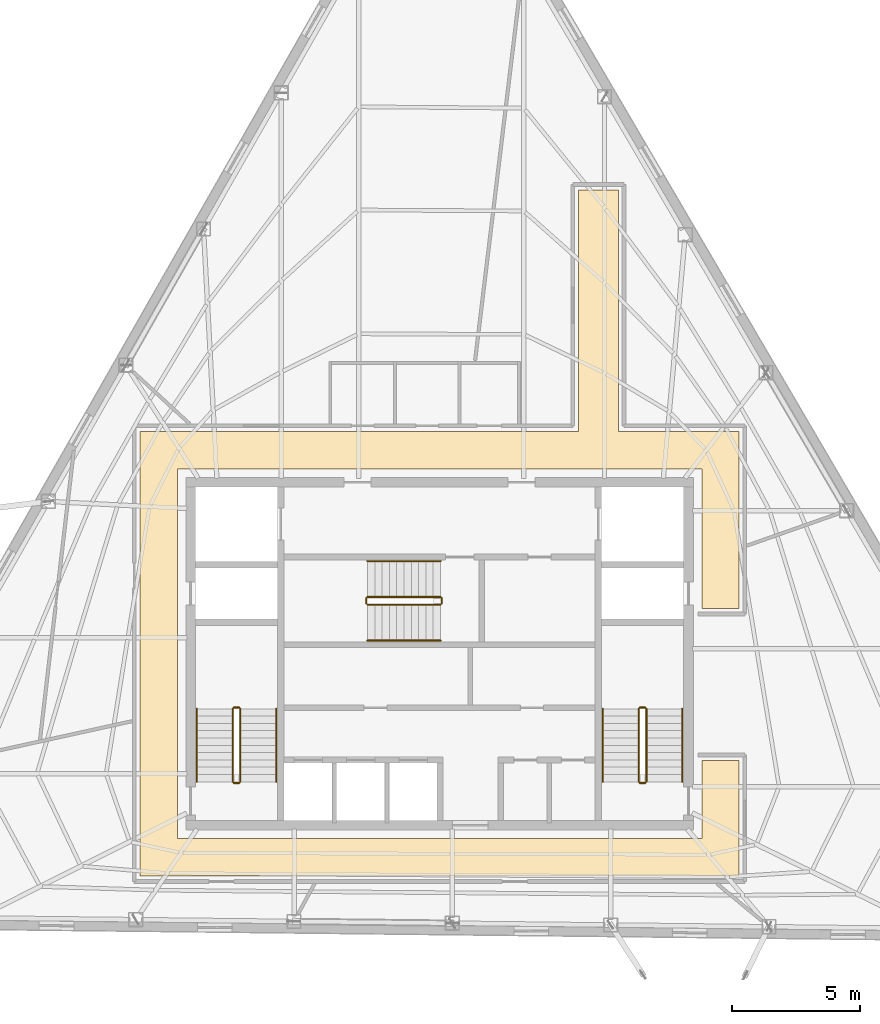
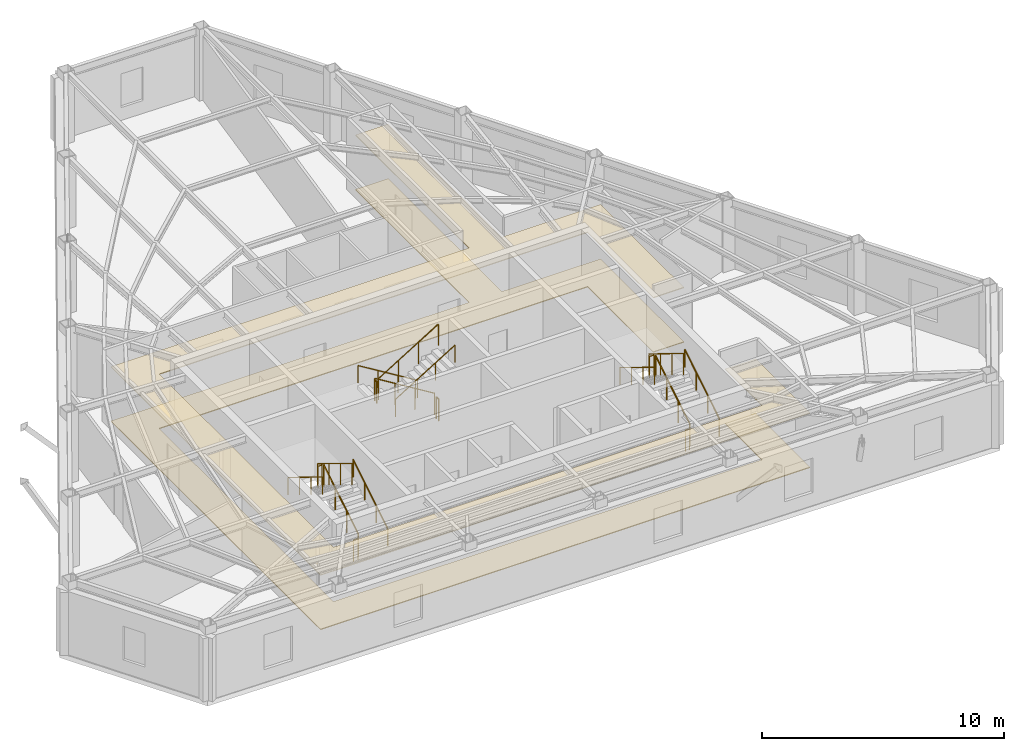
# One storey, part 11 of 11: 18 railings, 2 coverings.
"""IFC4 building model written with IfcOpenShell, lengths in metres."""

from ifc_helpers import new_model, si_unit, direction, frame, origin, origin_2d, place, context, subcontext, project, spatial, polyline, circle, outline, extrude, material, layer, layer_set, type_object, element, save


model = new_model("IFC4")

# Units and contexts
model_context = context("Model", 3, precision=1e-05, world=origin(), true_north=direction((0.0, 1.0)))
body_context = subcontext(model_context, "Body", "Model", "MODEL_VIEW")
ifc_project = project(units=[si_unit("LENGTHUNIT", "METRE"), si_unit("AREAUNIT", "SQUARE_METRE"), si_unit("VOLUMEUNIT", "CUBIC_METRE"), si_unit("PLANEANGLEUNIT", "RADIAN"), si_unit("MASSUNIT", "GRAM", prefix="KILO")], contexts=[model_context])

# Site, building, storey
site_placement = place(None, origin())
site = spatial("IfcSite", under=ifc_project, at=site_placement, CompositionType="ELEMENT")
building_placement = place(site_placement, origin())
building = spatial("IfcBuilding", under=site, at=building_placement, Name="Kavelnor Concourse Tower", CompositionType="ELEMENT")
storey_placement = place(building_placement, frame((0.0, 0.0, 258.75)))
storey = spatial("IfcBuildingStorey", under=building, at=storey_placement, Name="L65", CompositionType="ELEMENT", Elevation=258.75)

# Coverings
ifc_material_1 = material(Name="Mineral fibre acoustic ceiling tile")
ifc_layer_1 = layer(ifc_material_1, 0.0400390625, Name="Mineral fibre acoustic ceiling tile")
ifc_layer_set_1 = layer_set([ifc_layer_1], Name="Mineral fibre acoustic ceiling tile")
covering_type_1 = type_object("IfcCoveringType", Name="COV-CEILING-ACOUSTIC", PredefinedType="CEILING", material=ifc_layer_set_1)
covering_1_placement = place(storey_placement, frame((0.0, 0.0, 2.75)))
element("IfcCovering", 1, at=covering_1_placement, inside=storey, type_object=covering_type_1, Name="L65 Suspended Acoustic Ceiling", PredefinedType="CEILING", context=body_context, shape_type="SweptSolid", body=[
    extrude(outline(polyline([(44.97998046875, 24.77001953125), (49.68994140625, 24.77001953125), (49.68994140625, 17.8701171875), (48.22998046875, 17.8701171875), (48.22998046875, 23.31005859375), (27.77001953125, 23.31005859375), (27.77001953125, 8.889892578125), (48.22998046875, 8.889892578125), (48.22998046875, 11.929931640625), (49.68994140625, 11.929931640625), (49.68994140625, 7.429931640625), (26.31005859375, 7.429931640625), (26.31005859375, 24.77001953125), (43.419921875, 24.77001953125), (43.419921875, 34.179931640625), (44.97998046875, 34.179931640625), (44.97998046875, 24.77001953125)])), origin(), (0.0, 0.0, 1.0), 0.0400390625),
])
ifc_material_2 = material(Name="Honed bluestone and raised access floor finish", Category="masonry")
ifc_layer_2 = layer(ifc_material_2, 0.0400390625, Name="Honed bluestone and raised access floor finish")
ifc_layer_set_2 = layer_set([ifc_layer_2], Name="Honed bluestone and raised access floor finish")
covering_type_2 = type_object("IfcCoveringType", Name="COV-FLOOR-STONE", PredefinedType="FLOORING", material=ifc_layer_set_2)
covering_2_placement = place(storey_placement, frame((0.0, 0.0, 0.001953125)))
element("IfcCovering", 2, at=covering_2_placement, inside=storey, type_object=covering_type_2, Name="L65 Honed Bluestone Floor Finish", PredefinedType="FLOORING", context=body_context, shape_type="SweptSolid", body=[
    extrude(outline(polyline([(44.97998046875, 24.77001953125), (49.68994140625, 24.77001953125), (49.68994140625, 17.8701171875), (48.22998046875, 17.8701171875), (48.22998046875, 23.31005859375), (27.77001953125, 23.31005859375), (27.77001953125, 8.889892578125), (48.22998046875, 8.889892578125), (48.22998046875, 11.929931640625), (49.68994140625, 11.929931640625), (49.68994140625, 7.429931640625), (26.31005859375, 7.429931640625), (26.31005859375, 24.77001953125), (43.419921875, 24.77001953125), (43.419921875, 34.179931640625), (44.97998046875, 34.179931640625), (44.97998046875, 24.77001953125)])), origin(), (0.0, 0.0, 1.0), 0.0400390625),
])

# Railings
ifc_material_3 = material(Name="Steel Grade 350", Category="steel")
railing_type_1 = type_object("IfcRailingType", Name="RLG-GUARD-1100", PredefinedType="GUARDRAIL", material=ifc_material_3)
railing_1_placement = place(storey_placement, frame((30.22998046875, 11.10009765625, 0.175048828125)))
element("IfcRailing", 3, at=railing_1_placement, inside=storey, type_object=railing_type_1, Name="L65 ST1 stair guard 1", PredefinedType="GUARDRAIL", context=body_context, shape_type="SweptSolid", body=[
    extrude(circle(Radius=0.02392578125, at=origin_2d()), frame((0.0, 0.0, 1.076171875), z_axis=(0.0, 0.852159232446, 0.523282564737), x_axis=(-1.0, 0.0, 0.0)), (0.0, 0.0, 1.0), 3.34423828125),
    extrude(circle(Radius=0.02099609375, at=origin_2d()), origin(), (0.0, 0.0, 1.0), 1.052001953125),
    extrude(circle(Radius=0.02099609375, at=origin_2d()), frame((0.0, 0.949951171875, 0.583251953125)), (0.0, 0.0, 1.0), 1.052001953125),
    extrude(circle(Radius=0.02099609375, at=origin_2d()), frame((0.0, 1.89990234375, 1.166748046875)), (0.0, 0.0, 1.0), 1.052001953125),
    extrude(circle(Radius=0.02099609375, at=origin_2d()), frame((0.0, 2.849853515625, 1.75)), (0.0, 0.0, 1.0), 1.052001953125),
])
railing_2_placement = place(storey_placement, frame((30.179931640625, 14.0, 1.925048828125)))
element("IfcRailing", 4, at=railing_2_placement, inside=storey, type_object=railing_type_1, Name="L65 ST1 stair guard 2", PredefinedType="GUARDRAIL", context=body_context, shape_type="SweptSolid", body=[
    extrude(circle(Radius=0.02392578125, at=origin_2d()), frame((0.0, 0.0, 1.076171875), z_axis=(-1.0, 0.0, 0.0), x_axis=(0.0, -1.0, 0.0)), (0.0, 0.0, 1.0), 0.199951171875),
    extrude(circle(Radius=0.02099609375, at=origin_2d()), origin(), (0.0, 0.0, 1.0), 1.052001953125),
    extrude(circle(Radius=0.02099609375, at=origin_2d()), frame((-0.199951171875, 0.0, 0.0)), (0.0, 0.0, 1.0), 1.052001953125),
])
railing_3_placement = place(storey_placement, frame((29.929931640625, 13.949951171875, 2.10009765625)))
element("IfcRailing", 5, at=railing_3_placement, inside=storey, type_object=railing_type_1, Name="L65 ST1 stair guard 3", PredefinedType="GUARDRAIL", context=body_context, shape_type="SweptSolid", body=[
    extrude(circle(Radius=0.02392578125, at=origin_2d()), frame((0.0, 0.0, 1.076171875), z_axis=(0.0, -0.852159232446, 0.523282564737), x_axis=(1.0, 0.0, 0.0)), (0.0, 0.0, 1.0), 3.34423828125),
    extrude(circle(Radius=0.02099609375, at=origin_2d()), origin(), (0.0, 0.0, 1.0), 1.052001953125),
    extrude(circle(Radius=0.02099609375, at=origin_2d()), frame((0.0, -0.949951171875, 0.583251953125)), (0.0, 0.0, 1.0), 1.052001953125),
    extrude(circle(Radius=0.02099609375, at=origin_2d()), frame((0.0, -1.89990234375, 1.166748046875)), (0.0, 0.0, 1.0), 1.052001953125),
    extrude(circle(Radius=0.02099609375, at=origin_2d()), frame((0.0, -2.849853515625, 1.75)), (0.0, 0.0, 1.0), 1.052001953125),
])
railing_4_placement = place(storey_placement, frame((30.179931640625, 11.050048828125, 0.0)))
element("IfcRailing", 6, at=railing_4_placement, inside=storey, type_object=railing_type_1, Name="L65 ST1 stair guard 4", PredefinedType="GUARDRAIL", context=body_context, shape_type="SweptSolid", body=[
    extrude(circle(Radius=0.02392578125, at=origin_2d()), frame((0.0, 0.0, 1.076171875), z_axis=(-1.0, 0.0, 0.0), x_axis=(0.0, -1.0, 0.0)), (0.0, 0.0, 1.0), 0.199951171875),
    extrude(circle(Radius=0.02099609375, at=origin_2d()), origin(), (0.0, 0.0, 1.0), 1.052001953125),
    extrude(circle(Radius=0.02099609375, at=origin_2d()), frame((-0.199951171875, 0.0, 0.0)), (0.0, 0.0, 1.0), 1.052001953125),
])
railing_5_placement = place(storey_placement, frame((46.070068359375, 11.10009765625, 0.175048828125)))
element("IfcRailing", 7, at=railing_5_placement, inside=storey, type_object=railing_type_1, Name="L65 ST2 stair guard 1", PredefinedType="GUARDRAIL", context=body_context, shape_type="SweptSolid", body=[
    extrude(circle(Radius=0.02392578125, at=origin_2d()), frame((0.0, 0.0, 1.076171875), z_axis=(0.0, 0.852159232446, 0.523282564737), x_axis=(-1.0, 0.0, 0.0)), (0.0, 0.0, 1.0), 3.34423828125),
    extrude(circle(Radius=0.02099609375, at=origin_2d()), origin(), (0.0, 0.0, 1.0), 1.052001953125),
    extrude(circle(Radius=0.02099609375, at=origin_2d()), frame((0.0, 0.949951171875, 0.583251953125)), (0.0, 0.0, 1.0), 1.052001953125),
    extrude(circle(Radius=0.02099609375, at=origin_2d()), frame((0.0, 1.89990234375, 1.166748046875)), (0.0, 0.0, 1.0), 1.052001953125),
    extrude(circle(Radius=0.02099609375, at=origin_2d()), frame((0.0, 2.849853515625, 1.75)), (0.0, 0.0, 1.0), 1.052001953125),
])
railing_6_placement = place(storey_placement, frame((46.02001953125, 14.0, 1.925048828125)))
element("IfcRailing", 8, at=railing_6_placement, inside=storey, type_object=railing_type_1, Name="L65 ST2 stair guard 2", PredefinedType="GUARDRAIL", context=body_context, shape_type="SweptSolid", body=[
    extrude(circle(Radius=0.02392578125, at=origin_2d()), frame((0.0, 0.0, 1.076171875), z_axis=(-1.0, 0.0, 0.0), x_axis=(0.0, -1.0, 0.0)), (0.0, 0.0, 1.0), 0.199951171875),
    extrude(circle(Radius=0.02099609375, at=origin_2d()), origin(), (0.0, 0.0, 1.0), 1.052001953125),
    extrude(circle(Radius=0.02099609375, at=origin_2d()), frame((-0.199951171875, 0.0, 0.0)), (0.0, 0.0, 1.0), 1.052001953125),
])
railing_7_placement = place(storey_placement, frame((45.77001953125, 13.949951171875, 2.10009765625)))
element("IfcRailing", 9, at=railing_7_placement, inside=storey, type_object=railing_type_1, Name="L65 ST2 stair guard 3", PredefinedType="GUARDRAIL", context=body_context, shape_type="SweptSolid", body=[
    extrude(circle(Radius=0.02392578125, at=origin_2d()), frame((0.0, 0.0, 1.076171875), z_axis=(0.0, -0.852159232446, 0.523282564737), x_axis=(1.0, 0.0, 0.0)), (0.0, 0.0, 1.0), 3.34423828125),
    extrude(circle(Radius=0.02099609375, at=origin_2d()), origin(), (0.0, 0.0, 1.0), 1.052001953125),
    extrude(circle(Radius=0.02099609375, at=origin_2d()), frame((0.0, -0.949951171875, 0.583251953125)), (0.0, 0.0, 1.0), 1.052001953125),
    extrude(circle(Radius=0.02099609375, at=origin_2d()), frame((0.0, -1.89990234375, 1.166748046875)), (0.0, 0.0, 1.0), 1.052001953125),
    extrude(circle(Radius=0.02099609375, at=origin_2d()), frame((0.0, -2.849853515625, 1.75)), (0.0, 0.0, 1.0), 1.052001953125),
])
railing_8_placement = place(storey_placement, frame((46.02001953125, 11.050048828125, 0.0)))
element("IfcRailing", 10, at=railing_8_placement, inside=storey, type_object=railing_type_1, Name="L65 ST2 stair guard 4", PredefinedType="GUARDRAIL", context=body_context, shape_type="SweptSolid", body=[
    extrude(circle(Radius=0.02392578125, at=origin_2d()), frame((0.0, 0.0, 1.076171875), z_axis=(-1.0, 0.0, 0.0), x_axis=(0.0, -1.0, 0.0)), (0.0, 0.0, 1.0), 0.199951171875),
    extrude(circle(Radius=0.02099609375, at=origin_2d()), origin(), (0.0, 0.0, 1.0), 1.052001953125),
    extrude(circle(Radius=0.02099609375, at=origin_2d()), frame((-0.199951171875, 0.0, 0.0)), (0.0, 0.0, 1.0), 1.052001953125),
])
railing_9_placement = place(storey_placement, frame((38.0400390625, 18.31005859375, 0.175048828125)))
element("IfcRailing", 11, at=railing_9_placement, inside=storey, type_object=railing_type_1, Name="L65 ST3 stair guard 1", PredefinedType="GUARDRAIL", context=body_context, shape_type="SweptSolid", body=[
    extrude(circle(Radius=0.02392578125, at=origin_2d()), frame((0.0, 0.0, 1.076171875), z_axis=(-0.852179220489, 0.0, 0.52325001306), x_axis=(0.0, -1.0, 0.0)), (0.0, 0.0, 1.0), 3.344482421875),
    extrude(circle(Radius=0.02099609375, at=origin_2d()), origin(), (0.0, 0.0, 1.0), 1.052001953125),
    extrude(circle(Radius=0.02099609375, at=origin_2d()), frame((-0.949951171875, 0.0, 0.583251953125)), (0.0, 0.0, 1.0), 1.052001953125),
    extrude(circle(Radius=0.02099609375, at=origin_2d()), frame((-1.900146484375, 0.0, 1.166748046875)), (0.0, 0.0, 1.0), 1.052001953125),
    extrude(circle(Radius=0.02099609375, at=origin_2d()), frame((-2.85009765625, 0.0, 1.75)), (0.0, 0.0, 1.0), 1.052001953125),
])
railing_10_placement = place(storey_placement, frame((35.139892578125, 18.260009765625, 1.925048828125)))
element("IfcRailing", 12, at=railing_10_placement, inside=storey, type_object=railing_type_1, Name="L65 ST3 stair guard 2", PredefinedType="GUARDRAIL", context=body_context, shape_type="SweptSolid", body=[
    extrude(circle(Radius=0.02392578125, at=origin_2d()), frame((0.0, 0.0, 1.076171875), z_axis=(0.0, -1.0, 0.0), x_axis=(1.0, 0.0, 0.0)), (0.0, 0.0, 1.0), 0.199951171875),
    extrude(circle(Radius=0.02099609375, at=origin_2d()), origin(), (0.0, 0.0, 1.0), 1.052001953125),
    extrude(circle(Radius=0.02099609375, at=origin_2d()), frame((0.0, -0.199951171875, 0.0)), (0.0, 0.0, 1.0), 1.052001953125),
])
railing_11_placement = place(storey_placement, frame((35.18994140625, 18.010009765625, 2.10009765625)))
element("IfcRailing", 13, at=railing_11_placement, inside=storey, type_object=railing_type_1, Name="L65 ST3 stair guard 3", PredefinedType="GUARDRAIL", context=body_context, shape_type="SweptSolid", body=[
    extrude(circle(Radius=0.02392578125, at=origin_2d()), frame((0.0, 0.0, 1.076171875), z_axis=(0.852179220489, 0.0, 0.52325001306), x_axis=(0.0, 1.0, 0.0)), (0.0, 0.0, 1.0), 3.344482421875),
    extrude(circle(Radius=0.02099609375, at=origin_2d()), origin(), (0.0, 0.0, 1.0), 1.052001953125),
    extrude(circle(Radius=0.02099609375, at=origin_2d()), frame((0.949951171875, 0.0, 0.583251953125)), (0.0, 0.0, 1.0), 1.052001953125),
    extrude(circle(Radius=0.02099609375, at=origin_2d()), frame((1.900146484375, 0.0, 1.166748046875)), (0.0, 0.0, 1.0), 1.052001953125),
    extrude(circle(Radius=0.02099609375, at=origin_2d()), frame((2.85009765625, 0.0, 1.75)), (0.0, 0.0, 1.0), 1.052001953125),
])
railing_12_placement = place(storey_placement, frame((38.090087890625, 18.260009765625, 0.0)))
element("IfcRailing", 14, at=railing_12_placement, inside=storey, type_object=railing_type_1, Name="L65 ST3 stair guard 4", PredefinedType="GUARDRAIL", context=body_context, shape_type="SweptSolid", body=[
    extrude(circle(Radius=0.02392578125, at=origin_2d()), frame((0.0, 0.0, 1.076171875), z_axis=(0.0, -1.0, 0.0), x_axis=(1.0, 0.0, 0.0)), (0.0, 0.0, 1.0), 0.199951171875),
    extrude(circle(Radius=0.02099609375, at=origin_2d()), origin(), (0.0, 0.0, 1.0), 1.052001953125),
    extrude(circle(Radius=0.02099609375, at=origin_2d()), frame((0.0, -0.199951171875, 0.0)), (0.0, 0.0, 1.0), 1.052001953125),
])
railing_type_2 = type_object("IfcRailingType", Name="RLG-HANDRAIL-900", PredefinedType="HANDRAIL", material=ifc_material_3)
railing_13_placement = place(storey_placement, frame((31.6298828125, 11.10009765625, 0.175048828125)))
element("IfcRailing", 15, at=railing_13_placement, inside=storey, type_object=railing_type_2, Name="L65 ST1 stair handrail 1", PredefinedType="HANDRAIL", context=body_context, shape_type="SweptSolid", body=[
    extrude(circle(Radius=0.02392578125, at=origin_2d()), frame((0.0, 0.0, 0.8759765625), z_axis=(0.0, 0.852159232446, 0.523282564737), x_axis=(-1.0, 0.0, 0.0)), (0.0, 0.0, 1.0), 3.34423828125),
    extrude(circle(Radius=0.02099609375, at=origin_2d()), origin(), (0.0, 0.0, 1.0), 0.851806640625),
    extrude(circle(Radius=0.02099609375, at=origin_2d()), frame((0.0, 0.949951171875, 0.583251953125)), (0.0, 0.0, 1.0), 0.851806640625),
    extrude(circle(Radius=0.02099609375, at=origin_2d()), frame((0.0, 1.89990234375, 1.166748046875)), (0.0, 0.0, 1.0), 0.851806640625),
    extrude(circle(Radius=0.02099609375, at=origin_2d()), frame((0.0, 2.849853515625, 1.75)), (0.0, 0.0, 1.0), 0.851806640625),
])
railing_14_placement = place(storey_placement, frame((28.530029296875, 13.949951171875, 2.10009765625)))
element("IfcRailing", 16, at=railing_14_placement, inside=storey, type_object=railing_type_2, Name="L65 ST1 stair handrail 2", PredefinedType="HANDRAIL", context=body_context, shape_type="SweptSolid", body=[
    extrude(circle(Radius=0.02392578125, at=origin_2d()), frame((0.0, 0.0, 0.8759765625), z_axis=(0.0, -0.852159232446, 0.523282564737), x_axis=(1.0, 0.0, 0.0)), (0.0, 0.0, 1.0), 3.34423828125),
    extrude(circle(Radius=0.02099609375, at=origin_2d()), origin(), (0.0, 0.0, 1.0), 0.851806640625),
    extrude(circle(Radius=0.02099609375, at=origin_2d()), frame((0.0, -0.949951171875, 0.583251953125)), (0.0, 0.0, 1.0), 0.851806640625),
    extrude(circle(Radius=0.02099609375, at=origin_2d()), frame((0.0, -1.89990234375, 1.166748046875)), (0.0, 0.0, 1.0), 0.851806640625),
    extrude(circle(Radius=0.02099609375, at=origin_2d()), frame((0.0, -2.849853515625, 1.75)), (0.0, 0.0, 1.0), 0.851806640625),
])
railing_15_placement = place(storey_placement, frame((47.469970703125, 11.10009765625, 0.175048828125)))
element("IfcRailing", 17, at=railing_15_placement, inside=storey, type_object=railing_type_2, Name="L65 ST2 stair handrail 1", PredefinedType="HANDRAIL", context=body_context, shape_type="SweptSolid", body=[
    extrude(circle(Radius=0.02392578125, at=origin_2d()), frame((0.0, 0.0, 0.8759765625), z_axis=(0.0, 0.852159232446, 0.523282564737), x_axis=(-1.0, 0.0, 0.0)), (0.0, 0.0, 1.0), 3.34423828125),
    extrude(circle(Radius=0.02099609375, at=origin_2d()), origin(), (0.0, 0.0, 1.0), 0.851806640625),
    extrude(circle(Radius=0.02099609375, at=origin_2d()), frame((0.0, 0.949951171875, 0.583251953125)), (0.0, 0.0, 1.0), 0.851806640625),
    extrude(circle(Radius=0.02099609375, at=origin_2d()), frame((0.0, 1.89990234375, 1.166748046875)), (0.0, 0.0, 1.0), 0.851806640625),
    extrude(circle(Radius=0.02099609375, at=origin_2d()), frame((0.0, 2.849853515625, 1.75)), (0.0, 0.0, 1.0), 0.851806640625),
])
railing_16_placement = place(storey_placement, frame((44.3701171875, 13.949951171875, 2.10009765625)))
element("IfcRailing", 18, at=railing_16_placement, inside=storey, type_object=railing_type_2, Name="L65 ST2 stair handrail 2", PredefinedType="HANDRAIL", context=body_context, shape_type="SweptSolid", body=[
    extrude(circle(Radius=0.02392578125, at=origin_2d()), frame((0.0, 0.0, 0.8759765625), z_axis=(0.0, -0.852159232446, 0.523282564737), x_axis=(1.0, 0.0, 0.0)), (0.0, 0.0, 1.0), 3.34423828125),
    extrude(circle(Radius=0.02099609375, at=origin_2d()), origin(), (0.0, 0.0, 1.0), 0.851806640625),
    extrude(circle(Radius=0.02099609375, at=origin_2d()), frame((0.0, -0.949951171875, 0.583251953125)), (0.0, 0.0, 1.0), 0.851806640625),
    extrude(circle(Radius=0.02099609375, at=origin_2d()), frame((0.0, -1.89990234375, 1.166748046875)), (0.0, 0.0, 1.0), 0.851806640625),
    extrude(circle(Radius=0.02099609375, at=origin_2d()), frame((0.0, -2.849853515625, 1.75)), (0.0, 0.0, 1.0), 0.851806640625),
])
railing_17_placement = place(storey_placement, frame((38.0400390625, 19.7099609375, 0.175048828125)))
element("IfcRailing", 19, at=railing_17_placement, inside=storey, type_object=railing_type_2, Name="L65 ST3 stair handrail 1", PredefinedType="HANDRAIL", context=body_context, shape_type="SweptSolid", body=[
    extrude(circle(Radius=0.02392578125, at=origin_2d()), frame((0.0, 0.0, 0.8759765625), z_axis=(-0.852179220489, 0.0, 0.52325001306), x_axis=(0.0, -1.0, 0.0)), (0.0, 0.0, 1.0), 3.344482421875),
    extrude(circle(Radius=0.02099609375, at=origin_2d()), origin(), (0.0, 0.0, 1.0), 0.851806640625),
    extrude(circle(Radius=0.02099609375, at=origin_2d()), frame((-0.949951171875, 0.0, 0.583251953125)), (0.0, 0.0, 1.0), 0.851806640625),
    extrude(circle(Radius=0.02099609375, at=origin_2d()), frame((-1.900146484375, 0.0, 1.166748046875)), (0.0, 0.0, 1.0), 0.851806640625),
    extrude(circle(Radius=0.02099609375, at=origin_2d()), frame((-2.85009765625, 0.0, 1.75)), (0.0, 0.0, 1.0), 0.851806640625),
])
railing_18_placement = place(storey_placement, frame((35.18994140625, 16.610107421875, 2.10009765625)))
element("IfcRailing", 20, at=railing_18_placement, inside=storey, type_object=railing_type_2, Name="L65 ST3 stair handrail 2", PredefinedType="HANDRAIL", context=body_context, shape_type="SweptSolid", body=[
    extrude(circle(Radius=0.02392578125, at=origin_2d()), frame((0.0, 0.0, 0.8759765625), z_axis=(0.852179220489, 0.0, 0.52325001306), x_axis=(0.0, 1.0, 0.0)), (0.0, 0.0, 1.0), 3.344482421875),
    extrude(circle(Radius=0.02099609375, at=origin_2d()), origin(), (0.0, 0.0, 1.0), 0.851806640625),
    extrude(circle(Radius=0.02099609375, at=origin_2d()), frame((0.949951171875, 0.0, 0.583251953125)), (0.0, 0.0, 1.0), 0.851806640625),
    extrude(circle(Radius=0.02099609375, at=origin_2d()), frame((1.900146484375, 0.0, 1.166748046875)), (0.0, 0.0, 1.0), 0.851806640625),
    extrude(circle(Radius=0.02099609375, at=origin_2d()), frame((2.85009765625, 0.0, 1.75)), (0.0, 0.0, 1.0), 0.851806640625),
])

save(model, "model.ifc")
